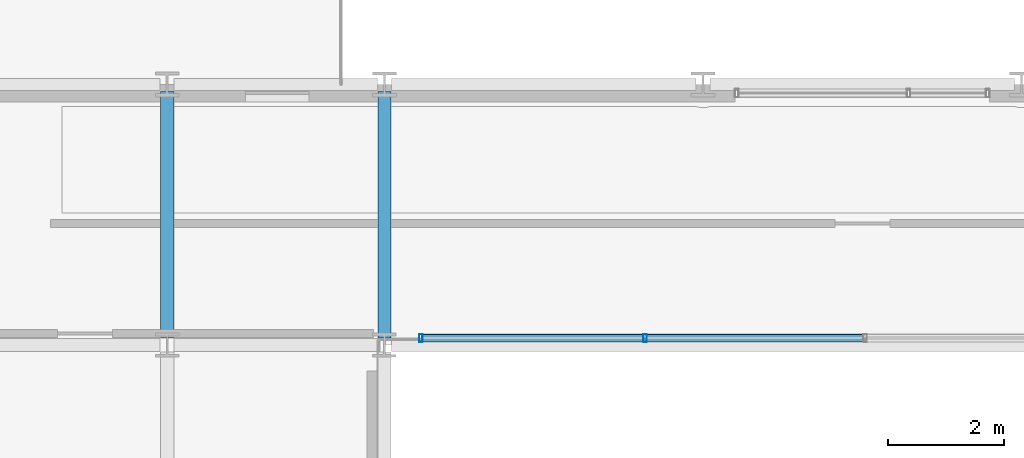
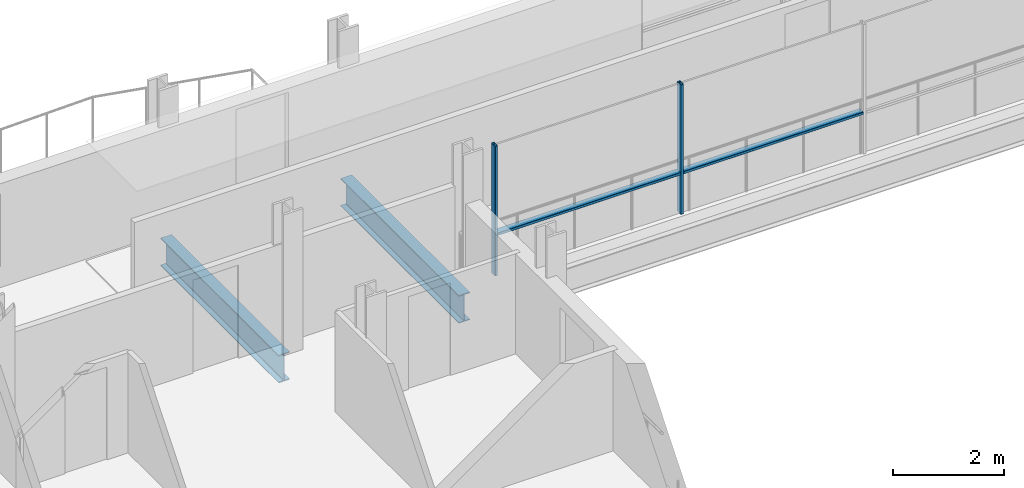
# One storey, part 9 of 40: 4 members, 2 beams, 1 element without a shape of its own.
"""IFC4 building model written with IfcOpenShell, lengths in metres."""

from ifc_helpers import new_model, si_unit, direction, frame, origin, origin_2d, place, context, subcontext, project, spatial, hollow_rectangle, i_section, extrude, material, layer, layer_set, material_profile, profile_set, type_object, element, aggregate, save


model = new_model("IFC4")

# Units and contexts
model_context = context("Model", 3, precision=1e-05, world=origin(), true_north=direction((0.0, 1.0)))
body_context = subcontext(model_context, "Body", "Model", "MODEL_VIEW")
ifc_project = project(units=[si_unit("LENGTHUNIT", "METRE"), si_unit("AREAUNIT", "SQUARE_METRE"), si_unit("VOLUMEUNIT", "CUBIC_METRE"), si_unit("PLANEANGLEUNIT", "RADIAN"), si_unit("MASSUNIT", "GRAM", prefix="KILO")], contexts=[model_context])

# Site, building, storey
site_placement = place(None, origin())
site = spatial("IfcSite", under=ifc_project, at=site_placement, CompositionType="ELEMENT")
building_placement = place(site_placement, origin())
building = spatial("IfcBuilding", under=site, at=building_placement, Name="Brevholm Reach", CompositionType="ELEMENT")
storey_placement = place(building_placement, frame((0.0, 0.0, 131.39990234375)))
storey = spatial("IfcBuildingStorey", under=building, at=storey_placement, Name="L39", CompositionType="ELEMENT", Elevation=131.39990234375)

# Beams
ifc_material_1 = material(Name="Structural Steel S355J2", Category="steel")
ifc_material_profile_1 = material_profile(ifc_material_1, i_section(OverallWidth=0.22900390625, OverallDepth=0.6123046875, WebThickness=0.011962890625, FlangeThickness=0.01953125, FilletRadius=0.0126953125, at=origin_2d()), Name="UKB 610x229x125")
ifc_profile_set_1 = profile_set([ifc_material_profile_1], Name="Structural Steel S355J2")
beam_type = type_object("IfcBeamType", Name="BM-SP610", PredefinedType="SPANDREL", material=ifc_profile_set_1)
for number, where, z_axis, x_axis, name in (
    (1, (18.0, 26.6201171875, -0.526123046875), (0.0, 1.0, 0.0), (-1.0, 0.0, 0.0), "L39 SP-01 Framing Beam"),
    (2, (21.75, 26.6201171875, -0.526123046875), (0.0, 1.0, 0.0), (-1.0, 0.0, 0.0), "L39 SP-01 Framing Beam"),
):
    element("IfcBeam", number, at=place(storey_placement, frame(where, z_axis=z_axis, x_axis=x_axis)), inside=storey, type_object=beam_type, Name=name, PredefinedType="SPANDREL", context=body_context, shape_type="SweptSolid", body=[
        extrude(i_section(OverallWidth=0.22900390625, OverallDepth=0.6123046875, WebThickness=0.011962890625, FlangeThickness=0.01953125, FilletRadius=0.0126953125, at=origin_2d()), origin(), (0.0, 0.0, 1.0), 4.259765625),
    ])

# Curtain wall, members
ifc_material_2 = material(Name="Dark Anodised Aluminium 6063-T6 and Solar-Control Glass", Category="aluminium")
ifc_layer = layer(ifc_material_2, 0.139892578125)
ifc_layer_set = layer_set([ifc_layer], Name="Dark Anodised Aluminium 6063-T6 and Solar-Control Glass")
curtain_wall_type = type_object("IfcCurtainWallType", Name="CW-02", PredefinedType="NOTDEFINED", material=ifc_layer_set)
curtain_wall_placement = place(storey_placement, origin())
curtain_wall = element("IfcCurtainWall", 3, at=curtain_wall_placement, inside=storey, type_object=curtain_wall_type, Name="L39 Curtain Wall CW-02", PredefinedType="NOTDEFINED")
ifc_material_3 = material(Name="Dark Anodised Aluminium 6063-T6", Category="aluminium")
ifc_material_profile_2 = material_profile(ifc_material_3, hollow_rectangle(XDim=0.06005859375, YDim=0.139892578125, WallThickness=0.0048828125, InnerFilletRadius=0.0048828125, OuterFilletRadius=0.010009765625, at=origin_2d()), Name="RHS 140x60x5")
ifc_profile_set_2 = profile_set([ifc_material_profile_2], Name="Dark Anodised Aluminium 6063-T6")
member_type_1 = type_object("IfcMemberType", Name="CWM-140", PredefinedType="MULLION", material=ifc_profile_set_2)
member_1_placement = place(storey_placement, frame((26.25, 26.6201171875, 0.0), z_axis=(0.0, 0.0, 1.0), x_axis=(-1.0, 0.0, 0.0)))
member_1 = element("IfcMember", 4, at=member_1_placement, type_object=member_type_1, Name="CM-140 Mullion 4", PredefinedType="MULLION", context=body_context, shape_type="SweptSolid", body=[
    extrude(hollow_rectangle(XDim=0.06005859375, YDim=0.139892578125, WallThickness=0.0048828125, InnerFilletRadius=0.0048828125, OuterFilletRadius=0.010009765625, at=origin_2d()), origin(), (0.0, 0.0, 1.0), 2.85009765625),
])
member_2_placement = place(storey_placement, frame((22.3798828125, 26.6201171875, 0.0), z_axis=(0.0, 0.0, 1.0), x_axis=(-1.0, 0.0, 0.0)))
member_2 = element("IfcMember", 5, at=member_2_placement, type_object=member_type_1, Name="CM-140 Mullion 5", PredefinedType="MULLION", context=body_context, shape_type="SweptSolid", body=[
    extrude(hollow_rectangle(XDim=0.06005859375, YDim=0.139892578125, WallThickness=0.0048828125, InnerFilletRadius=0.0048828125, OuterFilletRadius=0.010009765625, at=origin_2d()), origin(), (0.0, 0.0, 1.0), 2.85009765625),
])
ifc_material_4 = material(Name="Dark Anodised Aluminium 6063-T6", Category="aluminium")
ifc_material_profile_3 = material_profile(ifc_material_4, hollow_rectangle(XDim=0.06005859375, YDim=0.139892578125, WallThickness=0.0048828125, InnerFilletRadius=0.0048828125, OuterFilletRadius=0.010009765625, at=origin_2d()), Name="RHS 140x60x5")
ifc_profile_set_3 = profile_set([ifc_material_profile_3], Name="Dark Anodised Aluminium 6063-T6")
member_type_2 = type_object("IfcMemberType", Name="CWT-140", PredefinedType="NOTDEFINED", material=ifc_profile_set_3)
member_3_placement = place(storey_placement, frame((30.02001953125, 26.6201171875, 0.900146484375), z_axis=(-1.0, 0.0, 0.0), x_axis=(0.0, 0.0, 1.0)))
member_3 = element("IfcMember", 6, at=member_3_placement, type_object=member_type_2, Name="CT-140 Transom 3.1", ObjectType="TRANSOM", PredefinedType="USERDEFINED", context=body_context, shape_type="SweptSolid", body=[
    extrude(hollow_rectangle(XDim=0.06005859375, YDim=0.139892578125, WallThickness=0.0048828125, InnerFilletRadius=0.0048828125, OuterFilletRadius=0.010009765625, at=origin_2d()), origin(), (0.0, 0.0, 1.0), 3.739990234375),
])
member_4_placement = place(storey_placement, frame((26.219970703125, 26.6201171875, 0.900146484375), z_axis=(-1.0, 0.0, 0.0), x_axis=(0.0, 0.0, 1.0)))
member_4 = element("IfcMember", 7, at=member_4_placement, type_object=member_type_2, Name="CT-140 Transom 4.1", ObjectType="TRANSOM", PredefinedType="USERDEFINED", context=body_context, shape_type="SweptSolid", body=[
    extrude(hollow_rectangle(XDim=0.06005859375, YDim=0.139892578125, WallThickness=0.0048828125, InnerFilletRadius=0.0048828125, OuterFilletRadius=0.010009765625, at=origin_2d()), origin(), (0.0, 0.0, 1.0), 3.81005859375),
])
aggregate(curtain_wall, [member_1, member_2, member_3, member_4])

save(model, "model.ifc")
